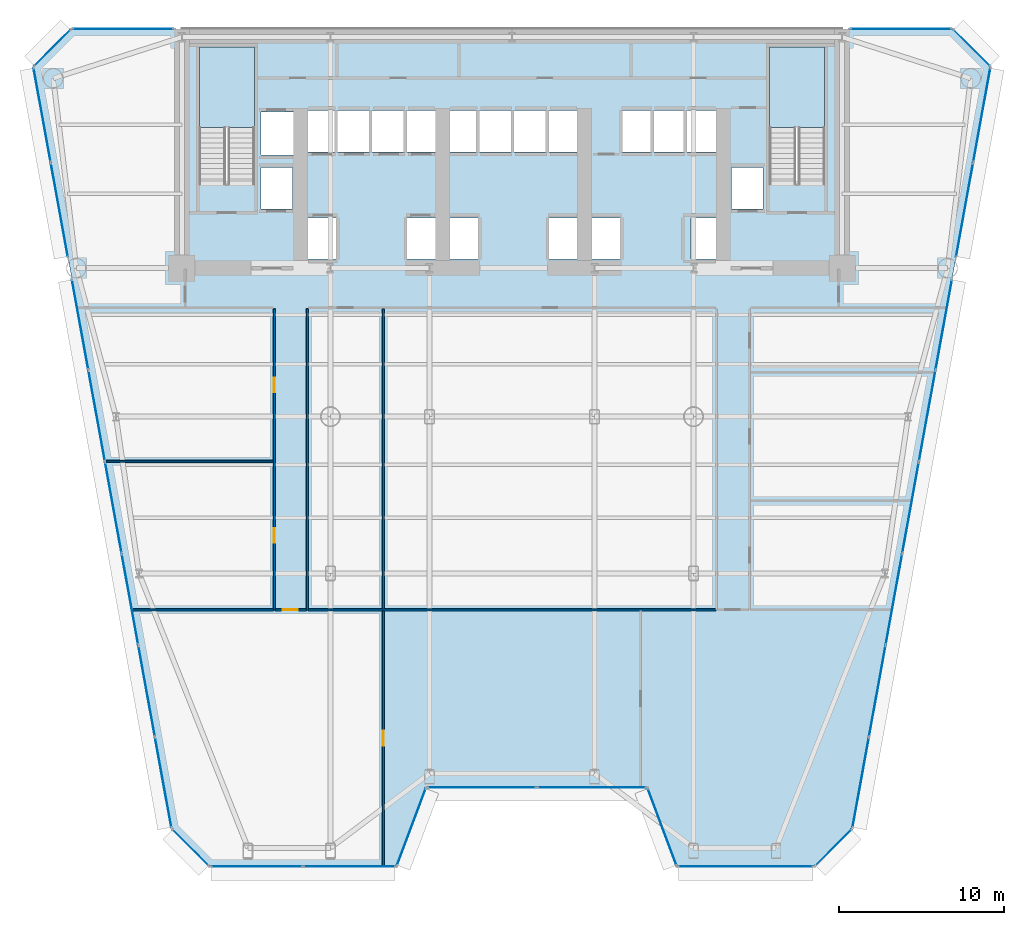
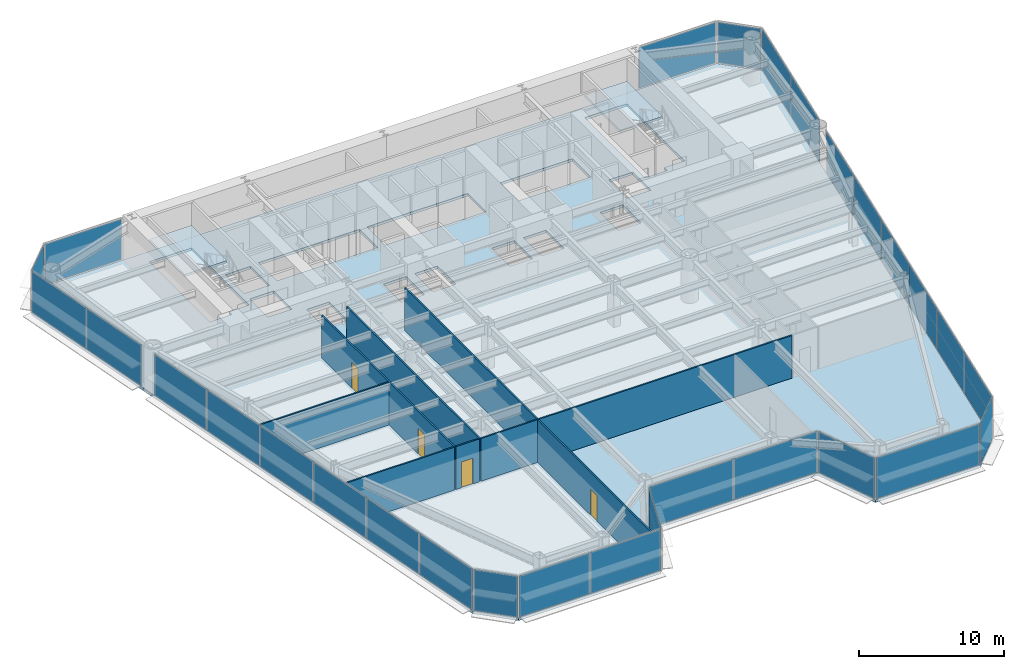
# One storey, part 7 of 14: 29 plates, 8 walls, 4 doors, 3 slabs, 4 openings, 17 elements without a shape of their own.
"""IFC4 building model written with IfcOpenShell, lengths in metres."""

from ifc_helpers import new_model, si_unit, direction, frame, frame_2d, origin, origin_2d, place, context, subcontext, project, spatial, polyline, rectangle, outline, extrude, source, transform, mapped, material, layer, layer_set, type_object, element, fill, aggregate, save


model = new_model("IFC4")

# Units and contexts
model_context = context("Model", 3, precision=1e-05, world=origin(), true_north=direction((0.0, 1.0)))
body_context = subcontext(model_context, "Body", "Model", "MODEL_VIEW")
ifc_project = project(units=[si_unit("LENGTHUNIT", "METRE"), si_unit("AREAUNIT", "SQUARE_METRE"), si_unit("VOLUMEUNIT", "CUBIC_METRE"), si_unit("PLANEANGLEUNIT", "RADIAN"), si_unit("MASSUNIT", "GRAM", prefix="KILO")], contexts=[model_context])

# Site, building, storey
site_placement = place(None, origin())
site = spatial("IfcSite", under=ifc_project, at=site_placement, CompositionType="ELEMENT")
building_placement = place(site_placement, origin())
building = spatial("IfcBuilding", under=site, at=building_placement, Name="Vaeldorn Concourse Tower", CompositionType="ELEMENT")
storey_placement = place(building_placement, frame((0.0, 0.0, 22.60009765625)))
storey = spatial("IfcBuildingStorey", under=building, at=storey_placement, Name="L05", CompositionType="ELEMENT", Elevation=22.60009765625)

# Stair, slab
ifc_material_1 = material(Name="Precast concrete C40/50", Category="concrete")
stair_type = type_object("IfcStairType", Name="STR-DOG-24x158", PredefinedType="HALF_TURN_STAIR", material=ifc_material_1)
stair_1_placement = place(storey_placement, origin())
stair_1 = element("IfcStair", 1, at=stair_1_placement, inside=storey, type_object=stair_type, Name="L05 West Core Exit Stair ST-1", PredefinedType="HALF_TURN_STAIR")
ifc_material_2 = material(Name="Concrete C40/50", Category="concrete")
ifc_layer_1 = layer(ifc_material_2, 0.199951171875)
ifc_layer_set_1 = layer_set([ifc_layer_1], Name="Concrete C40/50")
slab_type_1 = type_object("IfcSlabType", Name="SL-STAIR-LANDING", PredefinedType="LANDING", material=ifc_layer_set_1)
slab_1_placement = place(storey_placement, frame((0.0, 0.0, 1.699951171875)))
slab_1 = element("IfcSlab", 2, at=slab_1_placement, type_object=slab_type_1, Name="ST-1 landing 1", PredefinedType="LANDING", context=body_context, shape_type="SweptSolid", body=[
    extrude(outline(polyline([(18.39990234375, 45.010009765625), (18.39990234375, 49.89990234375), (15.050048828125, 49.89990234375), (15.050048828125, 45.010009765625), (18.39990234375, 45.010009765625)])), origin(), (0.0, 0.0, 1.0), 0.199951171875),
])
aggregate(stair_1, [slab_1])

stair_2_placement = place(storey_placement, origin())
stair_2 = element("IfcStair", 3, at=stair_2_placement, inside=storey, type_object=stair_type, Name="L05 East Core Exit Stair ST-2", PredefinedType="HALF_TURN_STAIR")
slab_2_placement = place(storey_placement, frame((0.0, 0.0, 1.699951171875)))
slab_2 = element("IfcSlab", 4, at=slab_2_placement, type_object=slab_type_1, Name="ST-2 landing 1", PredefinedType="LANDING", context=body_context, shape_type="SweptSolid", body=[
    extrude(outline(polyline([(52.949951171875, 45.010009765625), (52.949951171875, 49.89990234375), (49.60009765625, 49.89990234375), (49.60009765625, 45.010009765625), (52.949951171875, 45.010009765625)])), origin(), (0.0, 0.0, 1.0), 0.199951171875),
])
aggregate(stair_2, [slab_2])

# Slab
ifc_layer_2 = layer(ifc_material_2, 0.219970703125)
ifc_layer_set_2 = layer_set([ifc_layer_2], Name="Concrete C40/50")
slab_type_2 = type_object("IfcSlabType", Name="SL-TYP-220", PredefinedType="FLOOR", material=ifc_layer_set_2)
slab_3_placement = place(storey_placement, frame((0.0, 0.0, -0.22021484375)))
element("IfcSlab", 5, at=slab_3_placement, inside=storey, type_object=slab_type_2, Name="Structural Floor Slab L05", PredefinedType="FLOOR", context=body_context, shape_type="SweptSolid", body=[
    extrude(outline(polyline([(15.675537109375, 0.239013671875), (27.0, 0.239013671875), (28.800048828125, 5.0390625), (42.199951171875, 5.0390625), (44.0, 0.239013671875), (52.324462890625, 0.239013671875), (54.62451171875, 2.5390625), (63.0, 48.699951171875), (60.699951171875, 51.0), (7.300048828125, 51.0), (5.0, 48.699951171875), (13.37548828125, 2.5390625), (15.675537109375, 0.239013671875)]), holes=[polyline([(18.39990234375, 42.0), (18.39990234375, 49.89990234375), (15.050048828125, 49.89990234375), (15.050048828125, 41.60009765625), (16.800048828125, 41.60009765625), (16.800048828125, 42.0), (18.39990234375, 42.0)]), polyline([(52.949951171875, 42.0), (52.949951171875, 49.89990234375), (49.60009765625, 49.89990234375), (49.60009765625, 41.60009765625), (51.35009765625, 41.60009765625), (51.35009765625, 42.0), (52.949951171875, 42.0)]), polyline([(21.550048828125, 37.050048828125), (23.35009765625, 37.050048828125), (23.35009765625, 39.550048828125), (21.550048828125, 39.550048828125), (21.550048828125, 37.050048828125)]), polyline([(27.64990234375, 37.050048828125), (29.449951171875, 37.050048828125), (29.449951171875, 39.550048828125), (27.64990234375, 39.550048828125), (27.64990234375, 37.050048828125)]), polyline([(21.5, 43.550048828125), (29.5, 43.550048828125), (29.5, 46.050048828125), (21.5, 46.050048828125), (21.5, 43.550048828125)]), polyline([(30.14990234375, 37.050048828125), (31.949951171875, 37.050048828125), (31.949951171875, 39.550048828125), (30.14990234375, 39.550048828125), (30.14990234375, 37.050048828125)]), polyline([(36.25, 37.050048828125), (38.050048828125, 37.050048828125), (38.050048828125, 39.550048828125), (36.25, 39.550048828125), (36.25, 37.050048828125)]), polyline([(30.10009765625, 43.550048828125), (38.10009765625, 43.550048828125), (38.10009765625, 46.050048828125), (30.10009765625, 46.050048828125), (30.10009765625, 43.550048828125)]), polyline([(38.75, 37.050048828125), (40.550048828125, 37.050048828125), (40.550048828125, 39.550048828125), (38.75, 39.550048828125), (38.75, 37.050048828125)]), polyline([(44.85009765625, 37.050048828125), (46.64990234375, 37.050048828125), (46.64990234375, 39.550048828125), (44.85009765625, 39.550048828125), (44.85009765625, 37.050048828125)]), polyline([(40.699951171875, 43.550048828125), (46.39990234375, 43.550048828125), (46.39990234375, 46.050048828125), (40.699951171875, 46.050048828125), (40.699951171875, 43.550048828125)]), polyline([(18.800048828125, 43.35009765625), (20.800048828125, 43.35009765625), (20.800048828125, 45.949951171875), (18.800048828125, 45.949951171875), (18.800048828125, 43.35009765625)]), polyline([(18.800048828125, 40.10009765625), (20.699951171875, 40.10009765625), (20.699951171875, 42.60009765625), (18.800048828125, 42.60009765625), (18.800048828125, 40.10009765625)]), polyline([(47.300048828125, 40.10009765625), (49.199951171875, 40.10009765625), (49.199951171875, 42.60009765625), (47.300048828125, 42.60009765625), (47.300048828125, 40.10009765625)])]), origin(), (0.0, 0.0, 1.0), 0.22021484375),
])

# Curtain wall, plate
ifc_material_3 = material(Name="Anodised Bronze Aluminium", Category="aluminium")
ifc_layer_3 = layer(ifc_material_3, 0.219970703125)
ifc_layer_set_3 = layer_set([ifc_layer_3], Name="Anodised Bronze Aluminium")
curtain_wall_type = type_object("IfcCurtainWallType", Name="CW-SYS-01", PredefinedType="NOTDEFINED", material=ifc_layer_set_3)
curtain_wall_1_placement = place(storey_placement, origin())
curtain_wall_1 = element("IfcCurtainWall", 6, at=curtain_wall_1_placement, inside=storey, type_object=curtain_wall_type, Name="Unitised Curtain Wall CW-L05-E02-1", PredefinedType="NOTDEFINED")
ifc_material_4 = material(Name="Bronze Tinted Low-E Insulated Glass", Category="glass")
ifc_layer_4 = layer(ifc_material_4, 0.031982421875)
ifc_layer_set_4 = layer_set([ifc_layer_4], Name="Bronze Tinted Low-E Insulated Glass")
plate_type = type_object("IfcPlateType", Name="CWP-VISION-32", PredefinedType="CURTAIN_PANEL", material=ifc_layer_set_4)
shared_shape_1 = source(origin(), body_context, "Body", "SweptSolid", [
    extrude(rectangle(XDim=4.976318359375, YDim=0.031982421875, at=origin_2d()), origin(), (0.0, 0.0, 1.0), 3.429931640625),
])
plate_1_placement = place(storey_placement, frame((27.89990234375, 2.63916015625, 0.07470703125), z_axis=(0.0, 0.0, 1.0), x_axis=(0.351123441595, 0.936329177566, 0.0)))
plate_1 = element("IfcPlate", 7, at=plate_1_placement, type_object=plate_type, Name="CW-01 panel 1.1", PredefinedType="CURTAIN_PANEL", context=body_context, shape_type="MappedRepresentation", body=[
    mapped(shared_shape_1, transform((0.0, 0.0, 0.0), scale=1.0)),
])
aggregate(curtain_wall_1, [plate_1])

curtain_wall_2_placement = place(storey_placement, origin())
curtain_wall_2 = element("IfcCurtainWall", 8, at=curtain_wall_2_placement, inside=storey, type_object=curtain_wall_type, Name="Unitised Curtain Wall CW-L05-E04-1", PredefinedType="NOTDEFINED")
plate_2_placement = place(storey_placement, frame((43.10009765625, 2.63916015625, 0.07470703125), z_axis=(0.0, 0.0, 1.0), x_axis=(0.351123441595, -0.936329177566, 0.0)))
plate_2 = element("IfcPlate", 9, at=plate_2_placement, type_object=plate_type, Name="CW-01 panel 1.1", PredefinedType="CURTAIN_PANEL", context=body_context, shape_type="MappedRepresentation", body=[
    mapped(shared_shape_1, transform((0.0, 0.0, 0.0), scale=1.0)),
])
aggregate(curtain_wall_2, [plate_2])

# Curtain wall, plates
curtain_wall_3_placement = place(storey_placement, origin())
curtain_wall_3 = element("IfcCurtainWall", 10, at=curtain_wall_3_placement, inside=storey, type_object=curtain_wall_type, Name="Unitised Curtain Wall CW-L05-E03-1", PredefinedType="NOTDEFINED")
shared_shape_2 = source(origin(), body_context, "Body", "SweptSolid", [
    extrude(rectangle(XDim=6.58740234375, YDim=0.031982421875, at=origin_2d()), origin(), (0.0, 0.0, 1.0), 3.429931640625),
])
plate_3_placement = place(storey_placement, frame((32.168701171875, 5.0390625, 0.07470703125), z_axis=(0.0, 0.0, 1.0), x_axis=(1.0, 0.0, 0.0)))
plate_3 = element("IfcPlate", 11, at=plate_3_placement, type_object=plate_type, Name="CW-01 panel 1.1", PredefinedType="CURTAIN_PANEL", context=body_context, shape_type="MappedRepresentation", body=[
    mapped(shared_shape_2, transform((0.0, 0.0, 0.0), scale=1.0)),
])
plate_4_placement = place(storey_placement, frame((38.831298828125, 5.0390625, 0.07470703125), z_axis=(0.0, 0.0, 1.0), x_axis=(1.0, 0.0, 0.0)))
plate_4 = element("IfcPlate", 12, at=plate_4_placement, type_object=plate_type, Name="CW-01 panel 2.1", PredefinedType="CURTAIN_PANEL", context=body_context, shape_type="MappedRepresentation", body=[
    mapped(shared_shape_2, transform((0.0, 0.0, 0.0), scale=1.0)),
])
aggregate(curtain_wall_3, [plate_3, plate_4])

# Curtain wall, plate
curtain_wall_4_placement = place(storey_placement, origin())
curtain_wall_4 = element("IfcCurtainWall", 13, at=curtain_wall_4_placement, inside=storey, type_object=curtain_wall_type, Name="Unitised Curtain Wall CW-L05-E06-1", PredefinedType="NOTDEFINED")
shared_shape_3 = source(origin(), body_context, "Body", "SweptSolid", [
    extrude(rectangle(XDim=3.102783203125, YDim=0.031982421875, at=origin_2d()), origin(), (0.0, 0.0, 1.0), 3.429931640625),
])
plate_5_placement = place(storey_placement, frame((53.474609375, 1.38916015625, 0.07470703125), z_axis=(0.0, 0.0, 1.0), x_axis=(0.707106781187, 0.707106781187, 0.0)))
plate_5 = element("IfcPlate", 14, at=plate_5_placement, type_object=plate_type, Name="CW-01 panel 1.1", PredefinedType="CURTAIN_PANEL", context=body_context, shape_type="MappedRepresentation", body=[
    mapped(shared_shape_3, transform((0.0, 0.0, 0.0), scale=1.0)),
])
aggregate(curtain_wall_4, [plate_5])

curtain_wall_5_placement = place(storey_placement, origin())
curtain_wall_5 = element("IfcCurtainWall", 15, at=curtain_wall_5_placement, inside=storey, type_object=curtain_wall_type, Name="Unitised Curtain Wall CW-L05-E08-1", PredefinedType="NOTDEFINED")
plate_6_placement = place(storey_placement, frame((61.85009765625, 49.85009765625, 0.07470703125), z_axis=(0.0, 0.0, 1.0), x_axis=(-0.707106781187, 0.707106781187, 0.0)))
plate_6 = element("IfcPlate", 16, at=plate_6_placement, type_object=plate_type, Name="CW-01 panel 1.1", PredefinedType="CURTAIN_PANEL", context=body_context, shape_type="MappedRepresentation", body=[
    mapped(shared_shape_3, transform((0.0, 0.0, 0.0), scale=1.0)),
])
aggregate(curtain_wall_5, [plate_6])

curtain_wall_6_placement = place(storey_placement, origin())
curtain_wall_6 = element("IfcCurtainWall", 17, at=curtain_wall_6_placement, inside=storey, type_object=curtain_wall_type, Name="Unitised Curtain Wall CW-L05-E10-1", PredefinedType="NOTDEFINED")
plate_7_placement = place(storey_placement, frame((6.14990234375, 49.85009765625, 0.07470703125), z_axis=(0.0, 0.0, 1.0), x_axis=(-0.707106781187, -0.707106781187, 0.0)))
plate_7 = element("IfcPlate", 18, at=plate_7_placement, type_object=plate_type, Name="CW-01 panel 1.1", PredefinedType="CURTAIN_PANEL", context=body_context, shape_type="MappedRepresentation", body=[
    mapped(shared_shape_3, transform((0.0, 0.0, 0.0), scale=1.0)),
])
aggregate(curtain_wall_6, [plate_7])

curtain_wall_7_placement = place(storey_placement, origin())
curtain_wall_7 = element("IfcCurtainWall", 19, at=curtain_wall_7_placement, inside=storey, type_object=curtain_wall_type, Name="Unitised Curtain Wall CW-L05-E12-1", PredefinedType="NOTDEFINED")
plate_8_placement = place(storey_placement, frame((14.525390625, 1.38916015625, 0.07470703125), z_axis=(0.0, 0.0, 1.0), x_axis=(0.707106781187, -0.707106781187, 0.0)))
plate_8 = element("IfcPlate", 20, at=plate_8_placement, type_object=plate_type, Name="CW-01 panel 1.1", PredefinedType="CURTAIN_PANEL", context=body_context, shape_type="MappedRepresentation", body=[
    mapped(shared_shape_3, transform((0.0, 0.0, 0.0), scale=1.0)),
])
aggregate(curtain_wall_7, [plate_8])

# Curtain wall, plates
curtain_wall_8_placement = place(storey_placement, origin())
curtain_wall_8 = element("IfcCurtainWall", 21, at=curtain_wall_8_placement, inside=storey, type_object=curtain_wall_type, Name="Unitised Curtain Wall CW-L05-E07-2", PredefinedType="NOTDEFINED")
shared_shape_4 = source(origin(), body_context, "Body", "SweptSolid", [
    extrude(rectangle(XDim=5.772216796875, YDim=0.031982421875, at=origin_2d()), origin(), (0.0, 0.0, 1.0), 3.429931640625),
])
plate_9_placement = place(storey_placement, frame((61.427490234375, 40.032958984375, 0.07470703125), z_axis=(0.0, 0.0, 1.0), x_axis=(0.178528030477, 0.983934826263, 0.0)))
plate_9 = element("IfcPlate", 22, at=plate_9_placement, type_object=plate_type, Name="CW-01 panel 1.1", PredefinedType="CURTAIN_PANEL", context=body_context, shape_type="MappedRepresentation", body=[
    mapped(shared_shape_4, transform((0.0, 0.0, 0.0), scale=1.0)),
])
plate_10_placement = place(storey_placement, frame((62.471435546875, 45.786376953125, 0.07470703125), z_axis=(0.0, 0.0, 1.0), x_axis=(0.178528030477, 0.983934826263, 0.0)))
plate_10 = element("IfcPlate", 23, at=plate_10_placement, type_object=plate_type, Name="CW-01 panel 2.1", PredefinedType="CURTAIN_PANEL", context=body_context, shape_type="MappedRepresentation", body=[
    mapped(shared_shape_4, transform((0.0, 0.0, 0.0), scale=1.0)),
])
aggregate(curtain_wall_8, [plate_9, plate_10])

curtain_wall_9_placement = place(storey_placement, origin())
curtain_wall_9 = element("IfcCurtainWall", 24, at=curtain_wall_9_placement, inside=storey, type_object=curtain_wall_type, Name="Unitised Curtain Wall CW-L05-E11-1", PredefinedType="NOTDEFINED")
plate_11_placement = place(storey_placement, frame((5.528564453125, 45.786376953125, 0.07470703125), z_axis=(0.0, 0.0, 1.0), x_axis=(0.178528030477, -0.983934826263, 0.0)))
plate_11 = element("IfcPlate", 25, at=plate_11_placement, type_object=plate_type, Name="CW-01 panel 1.1", PredefinedType="CURTAIN_PANEL", context=body_context, shape_type="MappedRepresentation", body=[
    mapped(shared_shape_4, transform((0.0, 0.0, 0.0), scale=1.0)),
])
plate_12_placement = place(storey_placement, frame((6.572509765625, 40.032958984375, 0.07470703125), z_axis=(0.0, 0.0, 1.0), x_axis=(0.178528030477, -0.983934826263, 0.0)))
plate_12 = element("IfcPlate", 26, at=plate_12_placement, type_object=plate_type, Name="CW-01 panel 2.1", PredefinedType="CURTAIN_PANEL", context=body_context, shape_type="MappedRepresentation", body=[
    mapped(shared_shape_4, transform((0.0, 0.0, 0.0), scale=1.0)),
])
aggregate(curtain_wall_9, [plate_11, plate_12])

# Curtain wall, plate
curtain_wall_10_placement = place(storey_placement, origin())
curtain_wall_10 = element("IfcCurtainWall", 27, at=curtain_wall_10_placement, inside=storey, type_object=curtain_wall_type, Name="Unitised Curtain Wall CW-L05-E09-1", PredefinedType="NOTDEFINED")
shared_shape_5 = source(origin(), body_context, "Body", "SweptSolid", [
    extrude(rectangle(XDim=6.10498046875, YDim=0.031982421875, at=origin_2d()), origin(), (0.0, 0.0, 1.0), 3.429931640625),
])
plate_13_placement = place(storey_placement, frame((57.572509765625, 51.0, 0.07470703125), z_axis=(0.0, 0.0, 1.0), x_axis=(-1.0, 0.0, 0.0)))
plate_13 = element("IfcPlate", 28, at=plate_13_placement, type_object=plate_type, Name="CW-01 panel 1.1", PredefinedType="CURTAIN_PANEL", context=body_context, shape_type="MappedRepresentation", body=[
    mapped(shared_shape_5, transform((0.0, 0.0, 0.0), scale=1.0)),
])
aggregate(curtain_wall_10, [plate_13])

curtain_wall_11_placement = place(storey_placement, origin())
curtain_wall_11 = element("IfcCurtainWall", 29, at=curtain_wall_11_placement, inside=storey, type_object=curtain_wall_type, Name="Unitised Curtain Wall CW-L05-E09-2", PredefinedType="NOTDEFINED")
plate_14_placement = place(storey_placement, frame((10.427490234375, 51.0, 0.07470703125), z_axis=(0.0, 0.0, 1.0), x_axis=(-1.0, 0.0, 0.0)))
plate_14 = element("IfcPlate", 30, at=plate_14_placement, type_object=plate_type, Name="CW-01 panel 1.1", PredefinedType="CURTAIN_PANEL", context=body_context, shape_type="MappedRepresentation", body=[
    mapped(shared_shape_5, transform((0.0, 0.0, 0.0), scale=1.0)),
])
aggregate(curtain_wall_11, [plate_14])

# Curtain wall, plates
curtain_wall_12_placement = place(storey_placement, origin())
curtain_wall_12 = element("IfcCurtainWall", 31, at=curtain_wall_12_placement, inside=storey, type_object=curtain_wall_type, Name="Unitised Curtain Wall CW-L05-E01-1", PredefinedType="NOTDEFINED")
shared_shape_6 = source(origin(), body_context, "Body", "SweptSolid", [
    extrude(rectangle(XDim=5.5498046875, YDim=0.031982421875, at=origin_2d()), origin(), (0.0, 0.0, 1.0), 3.429931640625),
])
plate_15_placement = place(storey_placement, frame((18.525390625, 0.239013671875, 0.07470703125), z_axis=(0.0, 0.0, 1.0), x_axis=(1.0, 0.0, 0.0)))
plate_15 = element("IfcPlate", 32, at=plate_15_placement, type_object=plate_type, Name="CW-01 panel 1.1", PredefinedType="CURTAIN_PANEL", context=body_context, shape_type="MappedRepresentation", body=[
    mapped(shared_shape_6, transform((0.0, 0.0, 0.0), scale=1.0)),
])
plate_16_placement = place(storey_placement, frame((24.150146484375, 0.239013671875, 0.07470703125), z_axis=(0.0, 0.0, 1.0), x_axis=(1.0, 0.0, 0.0)))
plate_16 = element("IfcPlate", 33, at=plate_16_placement, type_object=plate_type, Name="CW-01 panel 2.1", PredefinedType="CURTAIN_PANEL", context=body_context, shape_type="MappedRepresentation", body=[
    mapped(shared_shape_6, transform((0.0, 0.0, 0.0), scale=1.0)),
])
aggregate(curtain_wall_12, [plate_15, plate_16])

# Curtain wall, plate
curtain_wall_13_placement = place(storey_placement, origin())
curtain_wall_13 = element("IfcCurtainWall", 34, at=curtain_wall_13_placement, inside=storey, type_object=curtain_wall_type, Name="Unitised Curtain Wall CW-L05-E05-1", PredefinedType="NOTDEFINED")
shared_shape_7 = source(origin(), body_context, "Body", "SweptSolid", [
    extrude(rectangle(XDim=8.174560546875, YDim=0.031982421875, at=origin_2d()), origin(), (0.0, 0.0, 1.0), 3.429931640625),
])
plate_17_placement = place(storey_placement, frame((48.162353515625, 0.239013671875, 0.07470703125), z_axis=(0.0, 0.0, 1.0), x_axis=(1.0, 0.0, 0.0)))
plate_17 = element("IfcPlate", 35, at=plate_17_placement, type_object=plate_type, Name="CW-01 panel 1.1", PredefinedType="CURTAIN_PANEL", context=body_context, shape_type="MappedRepresentation", body=[
    mapped(shared_shape_7, transform((0.0, 0.0, 0.0), scale=1.0)),
])
aggregate(curtain_wall_13, [plate_17])

# Curtain wall, plates
curtain_wall_14_placement = place(storey_placement, origin())
curtain_wall_14 = element("IfcCurtainWall", 36, at=curtain_wall_14_placement, inside=storey, type_object=curtain_wall_type, Name="Unitised Curtain Wall CW-L05-E07-1", PredefinedType="NOTDEFINED")
shared_shape_8 = source(origin(), body_context, "Body", "SweptSolid", [
    extrude(rectangle(XDim=5.53515625, YDim=0.031982421875, at=origin_2d()), origin(), (0.0, 0.0, 1.0), 3.429931640625),
])
plate_18_placement = place(storey_placement, frame((55.132080078125, 5.3359375, 0.07470703125), z_axis=(0.0, 0.0, 1.0), x_axis=(0.178526266665, 0.983935146293, 0.0)))
plate_18 = element("IfcPlate", 37, at=plate_18_placement, type_object=plate_type, Name="CW-01 panel 1.1", PredefinedType="CURTAIN_PANEL", context=body_context, shape_type="MappedRepresentation", body=[
    mapped(shared_shape_8, transform((0.0, 0.0, 0.0), scale=1.0)),
])
plate_19_placement = place(storey_placement, frame((60.16650390625, 33.08349609375, 0.07470703125), z_axis=(0.0, 0.0, 1.0), x_axis=(0.178526266665, 0.983935146293, 0.0)))
plate_19 = element("IfcPlate", 38, at=plate_19_placement, type_object=plate_type, Name="CW-01 panel 6.1", PredefinedType="CURTAIN_PANEL", context=body_context, shape_type="MappedRepresentation", body=[
    mapped(shared_shape_8, transform((0.0, 0.0, 0.0), scale=1.0)),
])

curtain_wall_15_placement = place(storey_placement, origin())
curtain_wall_15 = element("IfcCurtainWall", 39, at=curtain_wall_15_placement, inside=storey, type_object=curtain_wall_type, Name="Unitised Curtain Wall CW-L05-E11-2", PredefinedType="NOTDEFINED")
plate_20_placement = place(storey_placement, frame((7.83349609375, 33.08349609375, 0.07470703125), z_axis=(0.0, 0.0, 1.0), x_axis=(0.178526266665, -0.983935146293, 0.0)))
plate_20 = element("IfcPlate", 40, at=plate_20_placement, type_object=plate_type, Name="CW-01 panel 1.1", PredefinedType="CURTAIN_PANEL", context=body_context, shape_type="MappedRepresentation", body=[
    mapped(shared_shape_8, transform((0.0, 0.0, 0.0), scale=1.0)),
])
plate_21_placement = place(storey_placement, frame((12.867919921875, 5.3359375, 0.07470703125), z_axis=(0.0, 0.0, 1.0), x_axis=(0.178526266665, -0.983935146293, 0.0)))
plate_21 = element("IfcPlate", 41, at=plate_21_placement, type_object=plate_type, Name="CW-01 panel 6.1", PredefinedType="CURTAIN_PANEL", context=body_context, shape_type="MappedRepresentation", body=[
    mapped(shared_shape_8, transform((0.0, 0.0, 0.0), scale=1.0)),
])

# Plate
shared_shape_9 = source(origin(), body_context, "Body", "SweptSolid", [
    extrude(rectangle(XDim=5.572509765625, YDim=0.031982421875, at=origin_2d()), origin(), (0.0, 0.0, 1.0), 3.429931640625),
])
plate_22_placement = place(storey_placement, frame((56.136962890625, 10.87451171875, 0.07470703125), z_axis=(0.0, 0.0, 1.0), x_axis=(0.178526266665, 0.983935146293, 0.0)))
plate_22 = element("IfcPlate", 42, at=plate_22_placement, type_object=plate_type, Name="CW-01 panel 2.1", PredefinedType="CURTAIN_PANEL", context=body_context, shape_type="MappedRepresentation", body=[
    mapped(shared_shape_9, transform((0.0, 0.0, 0.0), scale=1.0)),
])

plate_23_placement = place(storey_placement, frame((57.14501953125, 16.431396484375, 0.07470703125), z_axis=(0.0, 0.0, 1.0), x_axis=(0.178526266665, 0.983935146293, 0.0)))
plate_23 = element("IfcPlate", 43, at=plate_23_placement, type_object=plate_type, Name="CW-01 panel 3.1", PredefinedType="CURTAIN_PANEL", context=body_context, shape_type="MappedRepresentation", body=[
    mapped(shared_shape_9, transform((0.0, 0.0, 0.0), scale=1.0)),
])

plate_24_placement = place(storey_placement, frame((58.1533203125, 21.98828125, 0.07470703125), z_axis=(0.0, 0.0, 1.0), x_axis=(0.178526266665, 0.983935146293, 0.0)))
plate_24 = element("IfcPlate", 44, at=plate_24_placement, type_object=plate_type, Name="CW-01 panel 4.1", PredefinedType="CURTAIN_PANEL", context=body_context, shape_type="MappedRepresentation", body=[
    mapped(shared_shape_9, transform((0.0, 0.0, 0.0), scale=1.0)),
])

plate_25_placement = place(storey_placement, frame((59.16162109375, 27.545166015625, 0.07470703125), z_axis=(0.0, 0.0, 1.0), x_axis=(0.178526266665, 0.983935146293, 0.0)))
plate_25 = element("IfcPlate", 45, at=plate_25_placement, type_object=plate_type, Name="CW-01 panel 5.1", PredefinedType="CURTAIN_PANEL", context=body_context, shape_type="MappedRepresentation", body=[
    mapped(shared_shape_9, transform((0.0, 0.0, 0.0), scale=1.0)),
])

aggregate(curtain_wall_14, [plate_18, plate_22, plate_23, plate_24, plate_25, plate_19])

plate_26_placement = place(storey_placement, frame((8.83837890625, 27.545166015625, 0.07470703125), z_axis=(0.0, 0.0, 1.0), x_axis=(0.178526266665, -0.983935146293, 0.0)))
plate_26 = element("IfcPlate", 46, at=plate_26_placement, type_object=plate_type, Name="CW-01 panel 2.1", PredefinedType="CURTAIN_PANEL", context=body_context, shape_type="MappedRepresentation", body=[
    mapped(shared_shape_9, transform((0.0, 0.0, 0.0), scale=1.0)),
])

plate_27_placement = place(storey_placement, frame((9.8466796875, 21.98828125, 0.07470703125), z_axis=(0.0, 0.0, 1.0), x_axis=(0.178526266665, -0.983935146293, 0.0)))
plate_27 = element("IfcPlate", 47, at=plate_27_placement, type_object=plate_type, Name="CW-01 panel 3.1", PredefinedType="CURTAIN_PANEL", context=body_context, shape_type="MappedRepresentation", body=[
    mapped(shared_shape_9, transform((0.0, 0.0, 0.0), scale=1.0)),
])

plate_28_placement = place(storey_placement, frame((10.85498046875, 16.431396484375, 0.07470703125), z_axis=(0.0, 0.0, 1.0), x_axis=(0.178526266665, -0.983935146293, 0.0)))
plate_28 = element("IfcPlate", 48, at=plate_28_placement, type_object=plate_type, Name="CW-01 panel 4.1", PredefinedType="CURTAIN_PANEL", context=body_context, shape_type="MappedRepresentation", body=[
    mapped(shared_shape_9, transform((0.0, 0.0, 0.0), scale=1.0)),
])

plate_29_placement = place(storey_placement, frame((11.863037109375, 10.87451171875, 0.07470703125), z_axis=(0.0, 0.0, 1.0), x_axis=(0.178526266665, -0.983935146293, 0.0)))
plate_29 = element("IfcPlate", 49, at=plate_29_placement, type_object=plate_type, Name="CW-01 panel 5.1", PredefinedType="CURTAIN_PANEL", context=body_context, shape_type="MappedRepresentation", body=[
    mapped(shared_shape_9, transform((0.0, 0.0, 0.0), scale=1.0)),
])

aggregate(curtain_wall_15, [plate_20, plate_26, plate_27, plate_28, plate_29, plate_21])

# Wall, openings, doors
ifc_material_5 = material(Name="Gypsum Board Partition", Category="gypsum")
ifc_layer_5 = layer(ifc_material_5, 0.1201171875)
ifc_layer_set_5 = layer_set([ifc_layer_5], Name="Gypsum Board Partition")
wall_type = type_object("IfcWallType", Name="WL-PART-120", PredefinedType="PARTITIONING", material=ifc_layer_set_5)
wall_1_placement = place(storey_placement, frame((19.60009765625, 15.800048828125, 0.0), z_axis=(0.0, 0.0, 1.0), x_axis=(0.0, 1.0, 0.0)))
wall_1 = element("IfcWall", 50, at=wall_1_placement, inside=storey, type_object=wall_type, Name="Interior Wall PW-L05-CWW", PredefinedType="PARTITIONING", context=body_context, shape_type="SweptSolid", body=[
    extrude(rectangle(XDim=18.239990234375, YDim=0.1201171875, at=frame_2d((9.1201171875, 0.0))), origin(), (0.0, 0.0, 1.0), 3.579833984375),
])
opening_1_placement = place(wall_1_placement, frame((4.050048828125, 0.0, 0.0)))
opening_1 = element("IfcOpeningElement", 51, at=opening_1_placement, cuts=wall_1, Name="Opening D-03", PredefinedType="OPENING", context=body_context, shape_type="SweptSolid", body=[
    extrude(rectangle(XDim=0.89990234375, YDim=2.14990234375, at=frame_2d((0.449951171875, 1.074951171875))), frame((0.0, 0.070068359375, 0.0), z_axis=(0.0, -1.0, 0.0), x_axis=(1.0, 0.0, 0.0)), (0.0, 0.0, 1.0), 0.14013671875),
])
opening_2_placement = place(wall_1_placement, frame((13.169921875, 0.0, 0.0)))
opening_2 = element("IfcOpeningElement", 52, at=opening_2_placement, cuts=wall_1, Name="Opening D-03", PredefinedType="OPENING", context=body_context, shape_type="SweptSolid", body=[
    extrude(rectangle(XDim=0.89990234375, YDim=2.14990234375, at=frame_2d((0.449951171875, 1.074951171875))), frame((0.0, 0.070068359375, 0.0), z_axis=(0.0, -1.0, 0.0), x_axis=(1.0, 0.0, 0.0)), (0.0, 0.0, 1.0), 0.14013671875),
])
ifc_material_6 = material(Name="Acoustic Bronze-Framed Glass Door", Category="glass")
door_type = type_object("IfcDoorType", Name="DR-INT-900", OperationType="NOTDEFINED", PredefinedType="DOOR", material=ifc_material_6)
shared_shape_10 = source(origin(), body_context, "Body", "SweptSolid", [
    extrude(rectangle(XDim=0.89990234375, YDim=2.14990234375, at=frame_2d((0.449951171875, 1.074951171875))), frame((0.0, 0.02490234375, 0.0), z_axis=(0.0, -1.0, 0.0), x_axis=(1.0, 0.0, 0.0)), (0.0, 0.0, 1.0), 0.050048828125),
])
door_1_placement = place(opening_1_placement, origin())
door_1 = element("IfcDoor", 53, at=door_1_placement, inside=storey, type_object=door_type, Name="Interior Door DR-L05-W1", OperationType="SINGLE_SWING_LEFT", OverallHeight=2.14990234375, OverallWidth=0.89990234375, PredefinedType="DOOR", context=body_context, shape_type="MappedRepresentation", body=[
    mapped(shared_shape_10, transform((0.0, 0.0, 0.0), scale=1.0)),
])
fill(opening_1, door_1)
door_2_placement = place(opening_2_placement, origin())
door_2 = element("IfcDoor", 54, at=door_2_placement, inside=storey, type_object=door_type, Name="Interior Door DR-L05-W2", OperationType="SINGLE_SWING_RIGHT", OverallHeight=2.14990234375, OverallWidth=0.89990234375, PredefinedType="DOOR", context=body_context, shape_type="MappedRepresentation", body=[
    mapped(shared_shape_10, transform((0.0, 0.0, 0.0), scale=1.0)),
])
fill(opening_2, door_2)

# Wall
wall_2_placement = place(storey_placement, frame((21.60009765625, 15.800048828125, 0.0), z_axis=(0.0, 0.0, 1.0), x_axis=(0.0, 1.0, 0.0)))
element("IfcWall", 55, at=wall_2_placement, inside=storey, type_object=wall_type, Name="Interior Wall PW-L05-CWE", PredefinedType="PARTITIONING", context=body_context, shape_type="SweptSolid", body=[
    extrude(rectangle(XDim=18.239990234375, YDim=0.1201171875, at=frame_2d((9.1201171875, 0.0))), origin(), (0.0, 0.0, 1.0), 3.579833984375),
])

# Wall, opening, door
wall_3_placement = place(storey_placement, frame((19.659912109375, 15.800048828125, 0.0), z_axis=(0.0, 0.0, 1.0), x_axis=(1.0, 0.0, 0.0)))
wall_3 = element("IfcWall", 56, at=wall_3_placement, inside=storey, type_object=wall_type, Name="Interior Wall PW-L05-CWS", PredefinedType="PARTITIONING", context=body_context, shape_type="SweptSolid", body=[
    extrude(rectangle(XDim=1.880126953125, YDim=0.1201171875, at=frame_2d((0.93994140625, 0.0))), origin(), (0.0, 0.0, 1.0), 3.579833984375),
])
opening_3_placement = place(wall_3_placement, frame((0.449951171875, 0.0, 0.0)))
opening_3 = element("IfcOpeningElement", 57, at=opening_3_placement, cuts=wall_3, Name="Opening D-03", PredefinedType="OPENING", context=body_context, shape_type="SweptSolid", body=[
    extrude(rectangle(XDim=0.89990234375, YDim=2.14990234375, at=frame_2d((0.449951171875, 1.074951171875))), frame((0.0, 0.070068359375, 0.0), z_axis=(0.0, -1.0, 0.0), x_axis=(1.0, 0.0, 0.0)), (0.0, 0.0, 1.0), 0.14013671875),
])
door_3_placement = place(opening_3_placement, origin())
door_3 = element("IfcDoor", 58, at=door_3_placement, inside=storey, type_object=door_type, Name="Interior Door DR-L05-SWL", OperationType="SINGLE_SWING_LEFT", OverallHeight=2.14990234375, OverallWidth=0.89990234375, PredefinedType="DOOR", context=body_context, shape_type="MappedRepresentation", body=[
    mapped(shared_shape_10, transform((0.0, 0.0, 0.0), scale=1.0)),
])
fill(opening_3, door_3)

# Walls
wall_4_placement = place(storey_placement, frame((11.009521484375, 15.800048828125, 0.0), z_axis=(0.0, 0.0, 1.0), x_axis=(1.0, 0.0, 0.0)))
element("IfcWall", 59, at=wall_4_placement, inside=storey, type_object=wall_type, Name="Interior Wall PW-L05-WY0", PredefinedType="PARTITIONING", context=body_context, shape_type="SweptSolid", body=[
    extrude(rectangle(XDim=8.530517578125, YDim=0.1201171875, at=frame_2d((4.26513671875, 0.0))), origin(), (0.0, 0.0, 1.0), 3.579833984375),
])
wall_5_placement = place(storey_placement, frame((9.37646484375, 24.800048828125, 0.0), z_axis=(0.0, 0.0, 1.0), x_axis=(1.0, 0.0, 0.0)))
element("IfcWall", 60, at=wall_5_placement, inside=storey, type_object=wall_type, Name="Interior Wall PW-L05-WY1", PredefinedType="PARTITIONING", context=body_context, shape_type="SweptSolid", body=[
    extrude(rectangle(XDim=10.16357421875, YDim=0.1201171875, at=frame_2d((5.081787109375, 0.0))), origin(), (0.0, 0.0, 1.0), 3.579833984375),
])
wall_6_placement = place(storey_placement, frame((21.659912109375, 15.800048828125, 0.0), z_axis=(0.0, 0.0, 1.0), x_axis=(1.0, 0.0, 0.0)))
element("IfcWall", 61, at=wall_6_placement, inside=storey, type_object=wall_type, Name="Interior Wall PW-L05-HUBS", PredefinedType="PARTITIONING", context=body_context, shape_type="SweptSolid", body=[
    extrude(rectangle(XDim=24.68017578125, YDim=0.1201171875, at=frame_2d((12.340087890625, 0.0))), origin(), (0.0, 0.0, 1.0), 3.579833984375),
])
wall_7_placement = place(storey_placement, frame((26.199951171875, 15.860107421875, 0.0), z_axis=(0.0, 0.0, 1.0), x_axis=(0.0, 1.0, 0.0)))
element("IfcWall", 62, at=wall_7_placement, inside=storey, type_object=wall_type, Name="Interior Wall PW-L05-HX1", PredefinedType="PARTITIONING", context=body_context, shape_type="SweptSolid", body=[
    extrude(rectangle(XDim=18.179931640625, YDim=0.1201171875, at=frame_2d((9.08984375, 0.0))), origin(), (0.0, 0.0, 1.0), 3.579833984375),
])

# Wall, opening, door
wall_8_placement = place(storey_placement, frame((26.199951171875, 0.279052734375, 0.0), z_axis=(0.0, 0.0, 1.0), x_axis=(0.0, 1.0, 0.0)))
wall_8 = element("IfcWall", 63, at=wall_8_placement, inside=storey, type_object=wall_type, Name="Interior Wall PW-L05-SMID1", PredefinedType="PARTITIONING", context=body_context, shape_type="SweptSolid", body=[
    extrude(rectangle(XDim=15.4609375, YDim=0.1201171875, at=frame_2d((7.73046875, 0.0))), origin(), (0.0, 0.0, 1.0), 3.579833984375),
])
opening_4_placement = place(wall_8_placement, frame((7.280029296875, 0.0, 0.0)))
opening_4 = element("IfcOpeningElement", 64, at=opening_4_placement, cuts=wall_8, Name="Opening D-03", PredefinedType="OPENING", context=body_context, shape_type="SweptSolid", body=[
    extrude(rectangle(XDim=0.89990234375, YDim=2.14990234375, at=frame_2d((0.449951171875, 1.074951171875))), frame((0.0, 0.070068359375, 0.0), z_axis=(0.0, -1.0, 0.0), x_axis=(1.0, 0.0, 0.0)), (0.0, 0.0, 1.0), 0.14013671875),
])
door_4_placement = place(opening_4_placement, origin())
door_4 = element("IfcDoor", 65, at=door_4_placement, inside=storey, type_object=door_type, Name="Interior Door DR-L05-SMID1", OperationType="SINGLE_SWING_RIGHT", OverallHeight=2.14990234375, OverallWidth=0.89990234375, PredefinedType="DOOR", context=body_context, shape_type="MappedRepresentation", body=[
    mapped(shared_shape_10, transform((0.0, 0.0, 0.0), scale=1.0)),
])
fill(opening_4, door_4)

save(model, "model.ifc")
